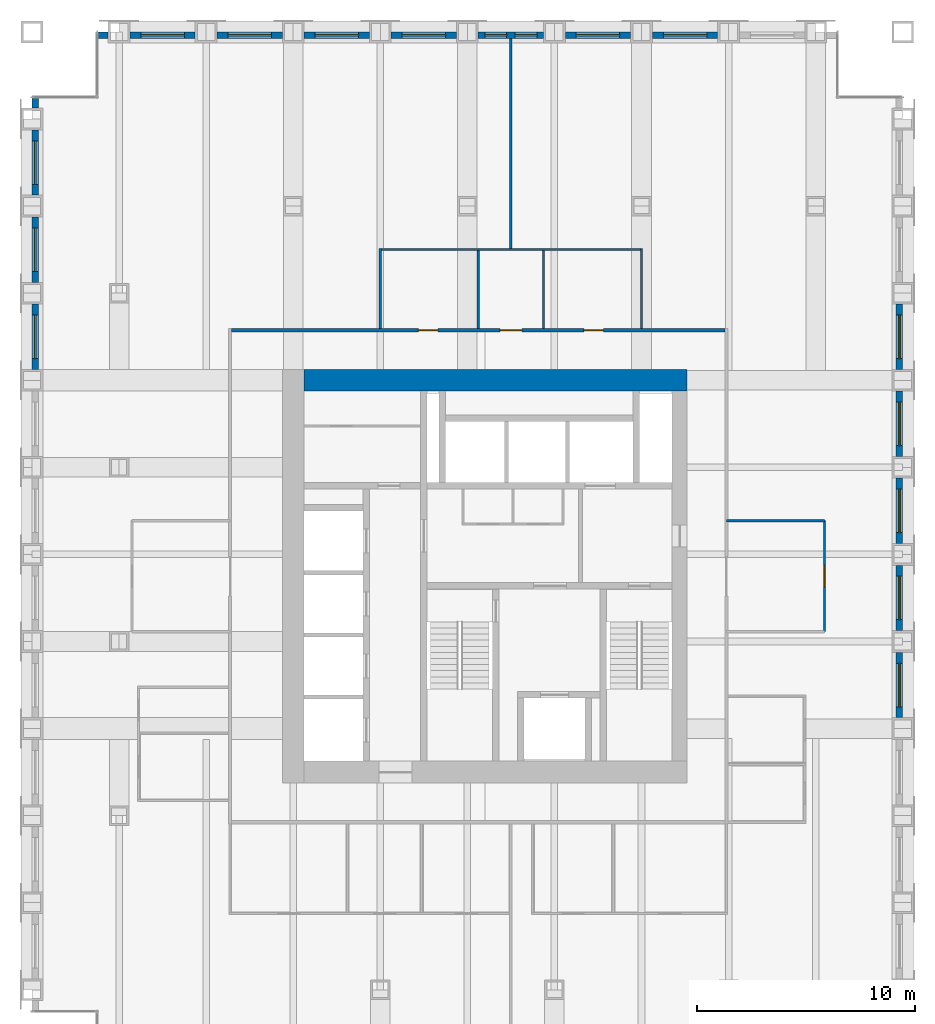
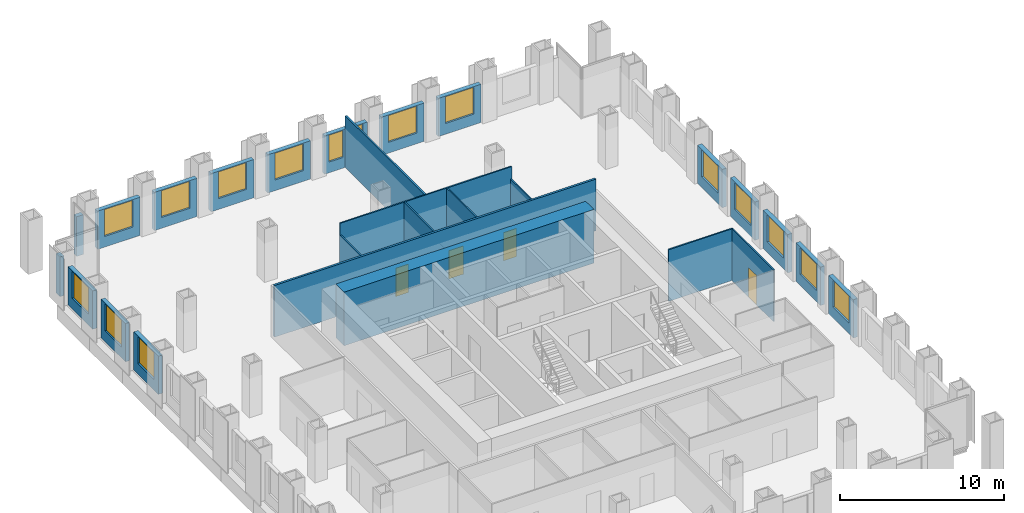
# One storey, part 10 of 12: 27 walls, 16 windows, 4 doors, 20 openings.
"""IFC4 building model written with IfcOpenShell, lengths in metres."""

import ifcopenshell
import ifcopenshell.guid

model = None  # the IFC model being written
_history = None  # IfcOwnerHistory: only IFC2X3 demands one
_inside = {}  # id of a spatial element -> (the spatial element, [elements in it])
_under = {}  # id of a project, library or spatial element -> (it, [spatial elements below it])
_declared = {}  # id of a project -> (the project, [libraries it declares])
_typed = {}  # id of a type object -> (the type object, [elements of that type])
_made_of = {}  # id of a material, layer set ... -> (it, [elements and type objects made of it])


def new_model(schema):
    """Start an empty IFC model of exactly this schema.

    Asked for "IFC4X3", IfcOpenShell would pick the latest addendum, in which some entities
    have other attributes; the version numbers below select the first issue.
    IFC2X3 requires an IfcOwnerHistory on every rooted entity: one is made here for all.
    """
    global model, _history
    if schema == "IFC4X3":
        model = ifcopenshell.file(schema_version=(4, 3, 0, 0))
    else:
        model = ifcopenshell.file(schema=schema)
    _inside.clear()
    _under.clear()
    _declared.clear()
    _typed.clear()
    _made_of.clear()
    _history = None
    if model.schema == "IFC2X3":
        org = make("IfcOrganization", Name="unknown")
        user = make(
            "IfcPersonAndOrganization",
            ThePerson=make("IfcPerson", FamilyName="unknown"),
            TheOrganization=org,
        )
        app = make(
            "IfcApplication",
            ApplicationDeveloper=org,
            Version="unknown",
            ApplicationFullName="unknown",
            ApplicationIdentifier="unknown",
        )
        _history = make(
            "IfcOwnerHistory",
            OwningUser=user,
            OwningApplication=app,
            ChangeAction="ADDED",
            CreationDate=0,
        )
    return model


def make(cls, **values):
    """One entity of the class cls with the attributes given. An attribute that is None is left unset."""
    return model.create_entity(
        cls, **{name: value for name, value in values.items() if value is not None}
    )


def rooted(cls, **values):
    """An entity with a GlobalId (a new one), such as an element, a storey or a relation."""
    return make(cls, GlobalId=ifcopenshell.guid.new(), OwnerHistory=_history, **values)


def si_unit(unit_type, name, prefix=None):
    """IfcSIUnit, for example si_unit("LENGTHUNIT", "METRE", prefix="MILLI")."""
    return make("IfcSIUnit", UnitType=unit_type, Prefix=prefix, Name=name)


def assignment(units):
    """IfcUnitAssignment: the units of a project."""
    return None if units is None else make("IfcUnitAssignment", Units=units)


def point(xyz):
    """IfcCartesianPoint."""
    return None if xyz is None else make("IfcCartesianPoint", Coordinates=xyz)


def direction(xyz):
    """IfcDirection."""
    return None if xyz is None else make("IfcDirection", DirectionRatios=xyz)


def frame(location, z_axis=None, x_axis=None):
    """IfcAxis2Placement3D, a coordinate frame: its origin and axes. An axis left out is left unset."""
    return make(
        "IfcAxis2Placement3D",
        Location=point(location),
        Axis=direction(z_axis),
        RefDirection=direction(x_axis),
    )


def frame_2d(location, x_axis=None):
    """IfcAxis2Placement2D, a coordinate frame in the plane: its origin and x axis."""
    return make(
        "IfcAxis2Placement2D", Location=point(location), RefDirection=direction(x_axis)
    )


def origin():
    """The frame at (0, 0, 0) with its axes left unset."""
    return frame((0.0, 0.0, 0.0))


def place(relative_to, where):
    """IfcLocalPlacement: puts the frame where relative to a parent placement (None: the world)."""
    return make(
        "IfcLocalPlacement", PlacementRelTo=relative_to, RelativePlacement=where
    )


def context(
    kind, dimensions, precision=None, world=None, true_north=None, identifier=None
):
    """IfcGeometricRepresentationContext, for example the 3D "Model" context."""
    return make(
        "IfcGeometricRepresentationContext",
        ContextIdentifier=identifier,
        ContextType=kind,
        CoordinateSpaceDimension=dimensions,
        Precision=precision,
        WorldCoordinateSystem=world,
        TrueNorth=true_north,
    )


def subcontext(parent, identifier, kind, view, scale=None):
    """IfcGeometricRepresentationSubContext, for example "Body" below "Model"."""
    return make(
        "IfcGeometricRepresentationSubContext",
        ContextIdentifier=identifier,
        ContextType=kind,
        ParentContext=parent,
        TargetScale=scale,
        TargetView=view,
    )


def project(units=None, contexts=None):
    """IfcProject with its units and contexts."""
    return rooted(
        "IfcProject",
        Name="project",
        RepresentationContexts=contexts,
        UnitsInContext=assignment(units),
    )


def spatial(cls, under=None, at=None, **own):
    """A site, building, storey or space (cls), placed at a placement, below another one or the project."""
    s = rooted(cls, ObjectPlacement=at, **own)
    if under is not None:
        _under.setdefault(under.id(), (under, []))[1].append(s)
    return s


def profile(cls, at=None, kind="AREA", **sizes):
    """A parametric profile (cls). Its sizes go by their IFC names, for example OverallWidth=200.0."""
    return make(cls, ProfileType=kind, Position=at, **sizes)


def rectangle(**sizes):
    """IfcRectangleProfileDef."""
    return profile("IfcRectangleProfileDef", **sizes)


def extrude(swept, where, along, depth):
    """IfcExtrudedAreaSolid: the profile swept, set in the frame where, extruded along a direction by depth."""
    return make(
        "IfcExtrudedAreaSolid",
        SweptArea=swept,
        Position=where,
        ExtrudedDirection=direction(along),
        Depth=depth,
    )


def shape(context_of_items, identifier, shape_type, items):
    """IfcShapeRepresentation: the items that make up one representation, for example the "Body"."""
    return make(
        "IfcShapeRepresentation",
        ContextOfItems=context_of_items,
        RepresentationIdentifier=identifier,
        RepresentationType=shape_type,
        Items=items,
    )


def material(Name=None, Category=None):
    """IfcMaterial."""
    return make("IfcMaterial", Name=Name, Category=Category)


def layer(
    of_material, thickness, ventilated=None, Name=None, Category=None, Priority=None
):
    """IfcMaterialLayer: one layer of a wall or slab, of a material (None: an air gap)."""
    return make(
        "IfcMaterialLayer",
        Material=of_material,
        LayerThickness=thickness,
        IsVentilated=ventilated,
        Name=Name,
        Category=Category,
        Priority=Priority,
    )


def layer_set(layers, Name=None):
    """IfcMaterialLayerSet."""
    return make("IfcMaterialLayerSet", MaterialLayers=layers, LayerSetName=Name)


def made_of(thing, what):
    """Note that an element or type object is made of a material, layer set ...; save() writes the relation."""
    if what is not None:
        _made_of.setdefault(what.id(), (what, []))[1].append(thing)
    return thing


def type_object(cls, material=None, **own):
    """A type object (cls), such as IfcWallType, which elements share."""
    return made_of(rooted(cls, **own), material)


def element(
    cls,
    number,
    at=None,
    inside=None,
    cuts=None,
    type_object=None,
    material=None,
    context=None,
    identifier="Body",
    shape_type=None,
    held_by="IfcProductDefinitionShape",
    body=None,
    shapes=None,
    **own,
):
    """One element of the class cls, such as IfcWall. Its Tag is "e" and its number.

    at: its placement. inside: the storey or other place that contains it. cuts: it is an
    opening in that element (IfcRelVoidsElement). A single representation is given by context,
    identifier, shape_type and body (its items); several are given by shapes. held_by: the class
    of the entity that holds the representations. save() writes the other relations.
    """
    e = rooted(cls, Tag="e%d" % number, ObjectPlacement=at, **own)
    if body is not None:
        shapes = [shape(context, identifier, shape_type, body)]
    if shapes is not None:
        e.Representation = make(held_by, Representations=shapes)
    if inside is not None:
        _inside.setdefault(inside.id(), (inside, []))[1].append(e)
    if cuts is not None:
        rooted(
            "IfcRelVoidsElement", RelatingBuildingElement=cuts, RelatedOpeningElement=e
        )
    if type_object is not None:
        _typed.setdefault(type_object.id(), (type_object, []))[1].append(e)
    return made_of(e, material)


def fill(opening, filler):
    """IfcRelFillsElement: the door or window that sits in an opening."""
    return rooted(
        "IfcRelFillsElement",
        RelatingOpeningElement=opening,
        RelatedBuildingElement=filler,
    )


def aggregate(whole, parts):
    """IfcRelAggregates: a whole, such as a stair, and the parts it consists of."""
    return rooted("IfcRelAggregates", RelatingObject=whole, RelatedObjects=parts)


def save(model, path):
    """Write the relations noted so far, then the file.

    IfcRelAggregates (storeys below a building ...), IfcRelContainedInSpatialStructure (elements
    in a storey), IfcRelDefinesByType, IfcRelAssociatesMaterial and IfcRelDeclares: one each for
    every whole, place, type object, material and project.
    """
    for whole, parts in _under.values():
        aggregate(whole, parts)
    for where, things in _inside.values():
        rooted(
            "IfcRelContainedInSpatialStructure",
            RelatedElements=things,
            RelatingStructure=where,
        )
    for kind, things in _typed.values():
        rooted("IfcRelDefinesByType", RelatedObjects=things, RelatingType=kind)
    for what, things in _made_of.values():
        rooted("IfcRelAssociatesMaterial", RelatedObjects=things, RelatingMaterial=what)
    for by, libraries in _declared.values():
        rooted("IfcRelDeclares", RelatingContext=by, RelatedDefinitions=libraries)
    model.write(path)


model = new_model("IFC4")

# Units and contexts
model_context = context("Model", 3, precision=1e-05, world=origin(), true_north=direction((0.0, 1.0)))
body_context = subcontext(model_context, "Body", "Model", "MODEL_VIEW")
ifc_project = project(units=[si_unit("LENGTHUNIT", "METRE"), si_unit("AREAUNIT", "SQUARE_METRE"), si_unit("VOLUMEUNIT", "CUBIC_METRE"), si_unit("PLANEANGLEUNIT", "RADIAN"), si_unit("MASSUNIT", "GRAM", prefix="KILO")], contexts=[model_context])

# Site, building, storey
site_placement = place(None, origin())
site = spatial("IfcSite", under=ifc_project, at=site_placement, CompositionType="ELEMENT")
building_placement = place(site_placement, origin())
building = spatial("IfcBuilding", under=site, at=building_placement, Name="Rimbunsela Tower", CompositionType="ELEMENT")
storey_placement = place(building_placement, frame((0.0, 0.0, 147.800048828125)))
storey = spatial("IfcBuildingStorey", under=building, at=storey_placement, Name="L35", CompositionType="ELEMENT", Elevation=147.800048828125)

# Wall
ifc_material_1 = material(Name="Concrete fc' 80 MPa", Category="concrete")
ifc_layer_1 = layer(ifc_material_1, 1.0)
ifc_layer_set_1 = layer_set([ifc_layer_1], Name="Core wall 1000")
wall_type_1 = type_object("IfcWallType", Name="Core wall 1000", PredefinedType="SHEAR", material=ifc_layer_set_1)
wall_1_placement = place(storey_placement, frame((18.5, 36.0, -0.150146484375), z_axis=(0.0, 0.0, 1.0), x_axis=(1.0, 0.0, 0.0)))
element("IfcWall", 1, at=wall_1_placement, inside=storey, type_object=wall_type_1, Name="Core wall north", PredefinedType="SHEAR", context=body_context, shape_type="SweptSolid", body=[
    extrude(rectangle(XDim=17.60009765625, YDim=1.0, at=frame_2d((8.800048828125, 0.0))), origin(), (0.0, 0.0, 1.0), 4.0),
])

# Wall, opening, door
ifc_material_2 = material(Name="Gypsum board on steel studs", Category="steel")
ifc_layer_2 = layer(ifc_material_2, 0.10009765625)
ifc_layer_set_2 = layer_set([ifc_layer_2], Name="Office partition 100")
wall_type_2 = type_object("IfcWallType", Name="Office partition 100", PredefinedType="PARTITIONING", material=ifc_layer_set_2)
wall_2_placement = place(storey_placement, frame((42.39990234375, 24.449951171875, 0.0), z_axis=(0.0, 0.0, 1.0), x_axis=(0.0, 1.0, 0.0)))
wall_2 = element("IfcWall", 2, at=wall_2_placement, inside=storey, type_object=wall_type_2, Name="Office partition", PredefinedType="PARTITIONING", context=body_context, shape_type="SweptSolid", body=[
    extrude(rectangle(XDim=5.10009765625, YDim=0.10009765625, at=frame_2d((2.550048828125, 0.0))), origin(), (0.0, 0.0, 1.0), 3.849853515625),
])
opening_1_placement = place(wall_2_placement, frame((2.050048828125, 0.0, 0.0)))
opening_1 = element("IfcOpeningElement", 3, at=opening_1_placement, cuts=wall_2, Name="Opening D17", PredefinedType="OPENING", context=body_context, shape_type="SweptSolid", body=[
    extrude(rectangle(XDim=1.0, YDim=2.199951171875, at=frame_2d((0.5, 1.10009765625))), frame((0.0, 0.06005859375, 0.0), z_axis=(0.0, -1.0, 0.0), x_axis=(1.0, 0.0, 0.0)), (0.0, 0.0, 1.0), 0.1201171875),
])
ifc_material_3 = material(Name="Glazed aluminium door", Category="aluminium")
door_type_1 = type_object("IfcDoorType", Name="Meeting room door 1000 glazed", OperationType="SINGLE_SWING_RIGHT", PredefinedType="DOOR", material=ifc_material_3)
door_1_placement = place(opening_1_placement, origin())
door_1 = element("IfcDoor", 4, at=door_1_placement, inside=storey, type_object=door_type_1, Name="Reception door", OperationType="SINGLE_SWING_RIGHT", OverallHeight=2.199951171875, OverallWidth=1.0, PredefinedType="DOOR", context=body_context, shape_type="SweptSolid", body=[
    extrude(rectangle(XDim=1.0, YDim=2.199951171875, at=frame_2d((0.5, 1.10009765625))), frame((0.0, 0.02490234375, 0.0), z_axis=(0.0, -1.0, 0.0), x_axis=(1.0, 0.0, 0.0)), (0.0, 0.0, 1.0), 0.050048828125),
])
fill(opening_1, door_1)

# Wall
wall_3_placement = place(storey_placement, frame((42.39990234375, 29.550048828125, 0.0), z_axis=(0.0, 0.0, 1.0), x_axis=(-1.0, 0.0, 0.0)))
element("IfcWall", 5, at=wall_3_placement, inside=storey, type_object=wall_type_2, Name="Office partition", PredefinedType="PARTITIONING", context=body_context, shape_type="SweptSolid", body=[
    extrude(rectangle(XDim=4.5, YDim=0.10009765625, at=frame_2d((2.25, 0.0))), origin(), (0.0, 0.0, 1.0), 3.849853515625),
])

# Wall, opening, window
ifc_material_4 = material(Name="Precast concrete fc' 35 MPa", Category="concrete")
ifc_layer_3 = layer(ifc_material_4, 0.300048828125)
ifc_layer_set_3 = layer_set([ifc_layer_3], Name="Precast concrete fc' 35 MPa")
wall_type_3 = type_object("IfcWallType", Name="Precast facade panel 300", PredefinedType="ELEMENTEDWALL", material=ifc_layer_set_3)
wall_4_placement = place(storey_placement, frame((45.85009765625, 20.5, 0.0), z_axis=(0.0, 0.0, 1.0), x_axis=(0.0, 1.0, 0.0)))
wall_4 = element("IfcWall", 6, at=wall_4_placement, inside=storey, type_object=wall_type_3, Name="Facade panel E L35", PredefinedType="ELEMENTEDWALL", context=body_context, shape_type="SweptSolid", body=[
    extrude(rectangle(XDim=3.0, YDim=0.300048828125, at=frame_2d((1.5, 0.0))), origin(), (0.0, 0.0, 1.0), 2.849853515625),
])
opening_2_placement = place(wall_4_placement, frame((0.5, 0.0, 0.800048828125)))
opening_2 = element("IfcOpeningElement", 7, at=opening_2_placement, cuts=wall_4, Name="Opening W1", PredefinedType="OPENING", context=body_context, shape_type="SweptSolid", body=[
    extrude(rectangle(XDim=2.0, YDim=2.0, at=frame_2d((1.0, 1.0))), frame((0.0, 0.159912109375, 0.0), z_axis=(0.0, -1.0, 0.0), x_axis=(1.0, 0.0, 0.0)), (0.0, 0.0, 1.0), 0.320068359375),
])
ifc_material_5 = material(Name="Clear glass in aluminium frame", Category="aluminium")
window_type_1 = type_object("IfcWindowType", Name="Window W1 2000x2000", PartitioningType="DOUBLE_PANEL_VERTICAL", PredefinedType="WINDOW", material=ifc_material_5)
window_1_placement = place(opening_2_placement, origin())
window_1 = element("IfcWindow", 8, at=window_1_placement, inside=storey, type_object=window_type_1, Name="Window L35", OverallHeight=2.0, OverallWidth=2.0, PartitioningType="SINGLE_PANEL", PredefinedType="WINDOW", context=body_context, shape_type="SweptSolid", body=[
    extrude(rectangle(XDim=2.0, YDim=2.0, at=frame_2d((1.0, 1.0))), frame((0.0, 0.030029296875, 0.0), z_axis=(0.0, -1.0, 0.0), x_axis=(1.0, 0.0, 0.0)), (0.0, 0.0, 1.0), 0.06005859375),
])
fill(opening_2, window_1)

wall_5_placement = place(storey_placement, frame((45.85009765625, 24.5, 0.0), z_axis=(0.0, 0.0, 1.0), x_axis=(0.0, 1.0, 0.0)))
wall_5 = element("IfcWall", 9, at=wall_5_placement, inside=storey, type_object=wall_type_3, Name="Facade panel E L35", PredefinedType="ELEMENTEDWALL", context=body_context, shape_type="SweptSolid", body=[
    extrude(rectangle(XDim=3.0, YDim=0.300048828125, at=frame_2d((1.5, 0.0))), origin(), (0.0, 0.0, 1.0), 2.849853515625),
])
opening_3_placement = place(wall_5_placement, frame((0.5, 0.0, 0.800048828125)))
opening_3 = element("IfcOpeningElement", 10, at=opening_3_placement, cuts=wall_5, Name="Opening W1", PredefinedType="OPENING", context=body_context, shape_type="SweptSolid", body=[
    extrude(rectangle(XDim=2.0, YDim=2.0, at=frame_2d((1.0, 1.0))), frame((0.0, 0.159912109375, 0.0), z_axis=(0.0, -1.0, 0.0), x_axis=(1.0, 0.0, 0.0)), (0.0, 0.0, 1.0), 0.320068359375),
])
window_2_placement = place(opening_3_placement, origin())
window_2 = element("IfcWindow", 11, at=window_2_placement, inside=storey, type_object=window_type_1, Name="Window L35", OverallHeight=2.0, OverallWidth=2.0, PartitioningType="SINGLE_PANEL", PredefinedType="WINDOW", context=body_context, shape_type="SweptSolid", body=[
    extrude(rectangle(XDim=2.0, YDim=2.0, at=frame_2d((1.0, 1.0))), frame((0.0, 0.030029296875, 0.0), z_axis=(0.0, -1.0, 0.0), x_axis=(1.0, 0.0, 0.0)), (0.0, 0.0, 1.0), 0.06005859375),
])
fill(opening_3, window_2)

wall_6_placement = place(storey_placement, frame((45.85009765625, 28.5, 0.0), z_axis=(0.0, 0.0, 1.0), x_axis=(0.0, 1.0, 0.0)))
wall_6 = element("IfcWall", 12, at=wall_6_placement, inside=storey, type_object=wall_type_3, Name="Facade panel E L35", PredefinedType="ELEMENTEDWALL", context=body_context, shape_type="SweptSolid", body=[
    extrude(rectangle(XDim=3.0, YDim=0.300048828125, at=frame_2d((1.5, 0.0))), origin(), (0.0, 0.0, 1.0), 2.849853515625),
])
opening_4_placement = place(wall_6_placement, frame((0.5, 0.0, 0.800048828125)))
opening_4 = element("IfcOpeningElement", 13, at=opening_4_placement, cuts=wall_6, Name="Opening W1", PredefinedType="OPENING", context=body_context, shape_type="SweptSolid", body=[
    extrude(rectangle(XDim=2.0, YDim=2.0, at=frame_2d((1.0, 1.0))), frame((0.0, 0.159912109375, 0.0), z_axis=(0.0, -1.0, 0.0), x_axis=(1.0, 0.0, 0.0)), (0.0, 0.0, 1.0), 0.320068359375),
])
window_3_placement = place(opening_4_placement, origin())
window_3 = element("IfcWindow", 14, at=window_3_placement, inside=storey, type_object=window_type_1, Name="Window L35", OverallHeight=2.0, OverallWidth=2.0, PartitioningType="SINGLE_PANEL", PredefinedType="WINDOW", context=body_context, shape_type="SweptSolid", body=[
    extrude(rectangle(XDim=2.0, YDim=2.0, at=frame_2d((1.0, 1.0))), frame((0.0, 0.030029296875, 0.0), z_axis=(0.0, -1.0, 0.0), x_axis=(1.0, 0.0, 0.0)), (0.0, 0.0, 1.0), 0.06005859375),
])
fill(opening_4, window_3)

wall_7_placement = place(storey_placement, frame((45.85009765625, 32.5, 0.0), z_axis=(0.0, 0.0, 1.0), x_axis=(0.0, 1.0, 0.0)))
wall_7 = element("IfcWall", 15, at=wall_7_placement, inside=storey, type_object=wall_type_3, Name="Facade panel E L35", PredefinedType="ELEMENTEDWALL", context=body_context, shape_type="SweptSolid", body=[
    extrude(rectangle(XDim=3.0, YDim=0.300048828125, at=frame_2d((1.5, 0.0))), origin(), (0.0, 0.0, 1.0), 2.849853515625),
])
opening_5_placement = place(wall_7_placement, frame((0.5, 0.0, 0.800048828125)))
opening_5 = element("IfcOpeningElement", 16, at=opening_5_placement, cuts=wall_7, Name="Opening W1", PredefinedType="OPENING", context=body_context, shape_type="SweptSolid", body=[
    extrude(rectangle(XDim=2.0, YDim=2.0, at=frame_2d((1.0, 1.0))), frame((0.0, 0.159912109375, 0.0), z_axis=(0.0, -1.0, 0.0), x_axis=(1.0, 0.0, 0.0)), (0.0, 0.0, 1.0), 0.320068359375),
])
window_4_placement = place(opening_5_placement, origin())
window_4 = element("IfcWindow", 17, at=window_4_placement, inside=storey, type_object=window_type_1, Name="Window L35", OverallHeight=2.0, OverallWidth=2.0, PartitioningType="SINGLE_PANEL", PredefinedType="WINDOW", context=body_context, shape_type="SweptSolid", body=[
    extrude(rectangle(XDim=2.0, YDim=2.0, at=frame_2d((1.0, 1.0))), frame((0.0, 0.030029296875, 0.0), z_axis=(0.0, -1.0, 0.0), x_axis=(1.0, 0.0, 0.0)), (0.0, 0.0, 1.0), 0.06005859375),
])
fill(opening_5, window_4)

wall_8_placement = place(storey_placement, frame((45.85009765625, 36.5, 0.0), z_axis=(0.0, 0.0, 1.0), x_axis=(0.0, 1.0, 0.0)))
wall_8 = element("IfcWall", 18, at=wall_8_placement, inside=storey, type_object=wall_type_3, Name="Facade panel E L35", PredefinedType="ELEMENTEDWALL", context=body_context, shape_type="SweptSolid", body=[
    extrude(rectangle(XDim=3.0, YDim=0.300048828125, at=frame_2d((1.5, 0.0))), origin(), (0.0, 0.0, 1.0), 2.849853515625),
])
opening_6_placement = place(wall_8_placement, frame((0.5, 0.0, 0.800048828125)))
opening_6 = element("IfcOpeningElement", 19, at=opening_6_placement, cuts=wall_8, Name="Opening W1", PredefinedType="OPENING", context=body_context, shape_type="SweptSolid", body=[
    extrude(rectangle(XDim=2.0, YDim=2.0, at=frame_2d((1.0, 1.0))), frame((0.0, 0.159912109375, 0.0), z_axis=(0.0, -1.0, 0.0), x_axis=(1.0, 0.0, 0.0)), (0.0, 0.0, 1.0), 0.320068359375),
])
window_5_placement = place(opening_6_placement, origin())
window_5 = element("IfcWindow", 20, at=window_5_placement, inside=storey, type_object=window_type_1, Name="Window L35", OverallHeight=2.0, OverallWidth=2.0, PartitioningType="SINGLE_PANEL", PredefinedType="WINDOW", context=body_context, shape_type="SweptSolid", body=[
    extrude(rectangle(XDim=2.0, YDim=2.0, at=frame_2d((1.0, 1.0))), frame((0.0, 0.030029296875, 0.0), z_axis=(0.0, -1.0, 0.0), x_axis=(1.0, 0.0, 0.0)), (0.0, 0.0, 1.0), 0.06005859375),
])
fill(opening_6, window_5)

# Wall
wall_9_placement = place(storey_placement, frame((9.5, 51.85009765625, 0.0), z_axis=(0.0, 0.0, 1.0), x_axis=(-1.0, 0.0, 0.0)))
element("IfcWall", 21, at=wall_9_placement, inside=storey, type_object=wall_type_3, Name="Facade panel N L35", PredefinedType="ELEMENTEDWALL", context=body_context, shape_type="SweptSolid", body=[
    extrude(rectangle(XDim=0.469970703125, YDim=0.300048828125, at=frame_2d((0.23486328125, 0.0))), origin(), (0.0, 0.0, 1.0), 2.949951171875),
])

# Wall, opening, window
wall_10_placement = place(storey_placement, frame((13.5, 51.85009765625, 0.0), z_axis=(0.0, 0.0, 1.0), x_axis=(-1.0, 0.0, 0.0)))
wall_10 = element("IfcWall", 22, at=wall_10_placement, inside=storey, type_object=wall_type_3, Name="Facade panel N L35", PredefinedType="ELEMENTEDWALL", context=body_context, shape_type="SweptSolid", body=[
    extrude(rectangle(XDim=3.0, YDim=0.300048828125, at=frame_2d((1.5, 0.0))), origin(), (0.0, 0.0, 1.0), 2.849853515625),
])
opening_7_placement = place(wall_10_placement, frame((0.5, 0.0, 0.800048828125)))
opening_7 = element("IfcOpeningElement", 23, at=opening_7_placement, cuts=wall_10, Name="Opening W1", PredefinedType="OPENING", context=body_context, shape_type="SweptSolid", body=[
    extrude(rectangle(XDim=2.0, YDim=2.0, at=frame_2d((1.0, 1.0))), frame((0.0, 0.159912109375, 0.0), z_axis=(0.0, -1.0, 0.0), x_axis=(1.0, 0.0, 0.0)), (0.0, 0.0, 1.0), 0.320068359375),
])
window_6_placement = place(opening_7_placement, origin())
window_6 = element("IfcWindow", 24, at=window_6_placement, inside=storey, type_object=window_type_1, Name="Window L35", OverallHeight=2.0, OverallWidth=2.0, PartitioningType="SINGLE_PANEL", PredefinedType="WINDOW", context=body_context, shape_type="SweptSolid", body=[
    extrude(rectangle(XDim=2.0, YDim=2.0, at=frame_2d((1.0, 1.0))), frame((0.0, 0.030029296875, 0.0), z_axis=(0.0, -1.0, 0.0), x_axis=(1.0, 0.0, 0.0)), (0.0, 0.0, 1.0), 0.06005859375),
])
fill(opening_7, window_6)

wall_11_placement = place(storey_placement, frame((17.5, 51.85009765625, 0.0), z_axis=(0.0, 0.0, 1.0), x_axis=(-1.0, 0.0, 0.0)))
wall_11 = element("IfcWall", 25, at=wall_11_placement, inside=storey, type_object=wall_type_3, Name="Facade panel N L35", PredefinedType="ELEMENTEDWALL", context=body_context, shape_type="SweptSolid", body=[
    extrude(rectangle(XDim=3.0, YDim=0.300048828125, at=frame_2d((1.5, 0.0))), origin(), (0.0, 0.0, 1.0), 2.849853515625),
])
opening_8_placement = place(wall_11_placement, frame((0.5, 0.0, 0.800048828125)))
opening_8 = element("IfcOpeningElement", 26, at=opening_8_placement, cuts=wall_11, Name="Opening W1", PredefinedType="OPENING", context=body_context, shape_type="SweptSolid", body=[
    extrude(rectangle(XDim=2.0, YDim=2.0, at=frame_2d((1.0, 1.0))), frame((0.0, 0.159912109375, 0.0), z_axis=(0.0, -1.0, 0.0), x_axis=(1.0, 0.0, 0.0)), (0.0, 0.0, 1.0), 0.320068359375),
])
window_7_placement = place(opening_8_placement, origin())
window_7 = element("IfcWindow", 27, at=window_7_placement, inside=storey, type_object=window_type_1, Name="Window L35", OverallHeight=2.0, OverallWidth=2.0, PartitioningType="SINGLE_PANEL", PredefinedType="WINDOW", context=body_context, shape_type="SweptSolid", body=[
    extrude(rectangle(XDim=2.0, YDim=2.0, at=frame_2d((1.0, 1.0))), frame((0.0, 0.030029296875, 0.0), z_axis=(0.0, -1.0, 0.0), x_axis=(1.0, 0.0, 0.0)), (0.0, 0.0, 1.0), 0.06005859375),
])
fill(opening_8, window_7)

wall_12_placement = place(storey_placement, frame((21.5, 51.85009765625, 0.0), z_axis=(0.0, 0.0, 1.0), x_axis=(-1.0, 0.0, 0.0)))
wall_12 = element("IfcWall", 28, at=wall_12_placement, inside=storey, type_object=wall_type_3, Name="Facade panel N L35", PredefinedType="ELEMENTEDWALL", context=body_context, shape_type="SweptSolid", body=[
    extrude(rectangle(XDim=3.0, YDim=0.300048828125, at=frame_2d((1.5, 0.0))), origin(), (0.0, 0.0, 1.0), 2.849853515625),
])
opening_9_placement = place(wall_12_placement, frame((0.5, 0.0, 0.800048828125)))
opening_9 = element("IfcOpeningElement", 29, at=opening_9_placement, cuts=wall_12, Name="Opening W1", PredefinedType="OPENING", context=body_context, shape_type="SweptSolid", body=[
    extrude(rectangle(XDim=2.0, YDim=2.0, at=frame_2d((1.0, 1.0))), frame((0.0, 0.159912109375, 0.0), z_axis=(0.0, -1.0, 0.0), x_axis=(1.0, 0.0, 0.0)), (0.0, 0.0, 1.0), 0.320068359375),
])
window_8_placement = place(opening_9_placement, origin())
window_8 = element("IfcWindow", 30, at=window_8_placement, inside=storey, type_object=window_type_1, Name="Window L35", OverallHeight=2.0, OverallWidth=2.0, PartitioningType="SINGLE_PANEL", PredefinedType="WINDOW", context=body_context, shape_type="SweptSolid", body=[
    extrude(rectangle(XDim=2.0, YDim=2.0, at=frame_2d((1.0, 1.0))), frame((0.0, 0.030029296875, 0.0), z_axis=(0.0, -1.0, 0.0), x_axis=(1.0, 0.0, 0.0)), (0.0, 0.0, 1.0), 0.06005859375),
])
fill(opening_9, window_8)

wall_13_placement = place(storey_placement, frame((25.5, 51.85009765625, 0.0), z_axis=(0.0, 0.0, 1.0), x_axis=(-1.0, 0.0, 0.0)))
wall_13 = element("IfcWall", 31, at=wall_13_placement, inside=storey, type_object=wall_type_3, Name="Facade panel N L35", PredefinedType="ELEMENTEDWALL", context=body_context, shape_type="SweptSolid", body=[
    extrude(rectangle(XDim=3.0, YDim=0.300048828125, at=frame_2d((1.5, 0.0))), origin(), (0.0, 0.0, 1.0), 2.849853515625),
])
opening_10_placement = place(wall_13_placement, frame((0.5, 0.0, 0.800048828125)))
opening_10 = element("IfcOpeningElement", 32, at=opening_10_placement, cuts=wall_13, Name="Opening W1", PredefinedType="OPENING", context=body_context, shape_type="SweptSolid", body=[
    extrude(rectangle(XDim=2.0, YDim=2.0, at=frame_2d((1.0, 1.0))), frame((0.0, 0.159912109375, 0.0), z_axis=(0.0, -1.0, 0.0), x_axis=(1.0, 0.0, 0.0)), (0.0, 0.0, 1.0), 0.320068359375),
])
window_9_placement = place(opening_10_placement, origin())
window_9 = element("IfcWindow", 33, at=window_9_placement, inside=storey, type_object=window_type_1, Name="Window L35", OverallHeight=2.0, OverallWidth=2.0, PartitioningType="SINGLE_PANEL", PredefinedType="WINDOW", context=body_context, shape_type="SweptSolid", body=[
    extrude(rectangle(XDim=2.0, YDim=2.0, at=frame_2d((1.0, 1.0))), frame((0.0, 0.030029296875, 0.0), z_axis=(0.0, -1.0, 0.0), x_axis=(1.0, 0.0, 0.0)), (0.0, 0.0, 1.0), 0.06005859375),
])
fill(opening_10, window_9)

# Wall, openings, windows
wall_14_placement = place(storey_placement, frame((29.5, 51.85009765625, 0.0), z_axis=(0.0, 0.0, 1.0), x_axis=(-1.0, 0.0, 0.0)))
wall_14 = element("IfcWall", 34, at=wall_14_placement, inside=storey, type_object=wall_type_3, Name="Facade panel N L35", PredefinedType="ELEMENTEDWALL", context=body_context, shape_type="SweptSolid", body=[
    extrude(rectangle(XDim=3.0, YDim=0.300048828125, at=frame_2d((1.5, 0.0))), origin(), (0.0, 0.0, 1.0), 2.849853515625),
])
opening_11_placement = place(wall_14_placement, frame((1.699951171875, 0.0, 0.800048828125)))
opening_11 = element("IfcOpeningElement", 35, at=opening_11_placement, cuts=wall_14, Name="Opening W5", PredefinedType="OPENING", context=body_context, shape_type="SweptSolid", body=[
    extrude(rectangle(XDim=1.0, YDim=2.0, at=frame_2d((0.5, 1.0))), frame((0.0, 0.159912109375, 0.0), z_axis=(0.0, -1.0, 0.0), x_axis=(1.0, 0.0, 0.0)), (0.0, 0.0, 1.0), 0.320068359375),
])
opening_12_placement = place(wall_14_placement, frame((0.300048828125, 0.0, 0.800048828125)))
opening_12 = element("IfcOpeningElement", 36, at=opening_12_placement, cuts=wall_14, Name="Opening W5", PredefinedType="OPENING", context=body_context, shape_type="SweptSolid", body=[
    extrude(rectangle(XDim=1.0, YDim=2.0, at=frame_2d((0.5, 1.0))), frame((0.0, 0.159912109375, 0.0), z_axis=(0.0, -1.0, 0.0), x_axis=(1.0, 0.0, 0.0)), (0.0, 0.0, 1.0), 0.320068359375),
])
ifc_material_6 = material(Name="Clear glass in aluminium frame", Category="aluminium")
window_type_2 = type_object("IfcWindowType", Name="Window W5 1000x2000", PartitioningType="SINGLE_PANEL", PredefinedType="WINDOW", material=ifc_material_6)
window_10_placement = place(opening_11_placement, origin())
window_10 = element("IfcWindow", 37, at=window_10_placement, inside=storey, type_object=window_type_2, Name="Window L35", OverallHeight=2.0, OverallWidth=1.0, PartitioningType="SINGLE_PANEL", PredefinedType="WINDOW", context=body_context, shape_type="SweptSolid", body=[
    extrude(rectangle(XDim=1.0, YDim=2.0, at=frame_2d((0.5, 1.0))), frame((0.0, 0.030029296875, 0.0), z_axis=(0.0, -1.0, 0.0), x_axis=(1.0, 0.0, 0.0)), (0.0, 0.0, 1.0), 0.06005859375),
])
fill(opening_11, window_10)
window_11_placement = place(opening_12_placement, origin())
window_11 = element("IfcWindow", 38, at=window_11_placement, inside=storey, type_object=window_type_2, Name="Window L35", OverallHeight=2.0, OverallWidth=1.0, PartitioningType="SINGLE_PANEL", PredefinedType="WINDOW", context=body_context, shape_type="SweptSolid", body=[
    extrude(rectangle(XDim=1.0, YDim=2.0, at=frame_2d((0.5, 1.0))), frame((0.0, 0.030029296875, 0.0), z_axis=(0.0, -1.0, 0.0), x_axis=(1.0, 0.0, 0.0)), (0.0, 0.0, 1.0), 0.06005859375),
])
fill(opening_12, window_11)

# Wall, opening, window
wall_15_placement = place(storey_placement, frame((33.5, 51.85009765625, 0.0), z_axis=(0.0, 0.0, 1.0), x_axis=(-1.0, 0.0, 0.0)))
wall_15 = element("IfcWall", 39, at=wall_15_placement, inside=storey, type_object=wall_type_3, Name="Facade panel N L35", PredefinedType="ELEMENTEDWALL", context=body_context, shape_type="SweptSolid", body=[
    extrude(rectangle(XDim=3.0, YDim=0.300048828125, at=frame_2d((1.5, 0.0))), origin(), (0.0, 0.0, 1.0), 2.849853515625),
])
opening_13_placement = place(wall_15_placement, frame((0.5, 0.0, 0.800048828125)))
opening_13 = element("IfcOpeningElement", 40, at=opening_13_placement, cuts=wall_15, Name="Opening W1", PredefinedType="OPENING", context=body_context, shape_type="SweptSolid", body=[
    extrude(rectangle(XDim=2.0, YDim=2.0, at=frame_2d((1.0, 1.0))), frame((0.0, 0.159912109375, 0.0), z_axis=(0.0, -1.0, 0.0), x_axis=(1.0, 0.0, 0.0)), (0.0, 0.0, 1.0), 0.320068359375),
])
window_12_placement = place(opening_13_placement, origin())
window_12 = element("IfcWindow", 41, at=window_12_placement, inside=storey, type_object=window_type_1, Name="Window L35", OverallHeight=2.0, OverallWidth=2.0, PartitioningType="SINGLE_PANEL", PredefinedType="WINDOW", context=body_context, shape_type="SweptSolid", body=[
    extrude(rectangle(XDim=2.0, YDim=2.0, at=frame_2d((1.0, 1.0))), frame((0.0, 0.030029296875, 0.0), z_axis=(0.0, -1.0, 0.0), x_axis=(1.0, 0.0, 0.0)), (0.0, 0.0, 1.0), 0.06005859375),
])
fill(opening_13, window_12)

wall_16_placement = place(storey_placement, frame((37.5, 51.85009765625, 0.0), z_axis=(0.0, 0.0, 1.0), x_axis=(-1.0, 0.0, 0.0)))
wall_16 = element("IfcWall", 42, at=wall_16_placement, inside=storey, type_object=wall_type_3, Name="Facade panel N L35", PredefinedType="ELEMENTEDWALL", context=body_context, shape_type="SweptSolid", body=[
    extrude(rectangle(XDim=3.0, YDim=0.300048828125, at=frame_2d((1.5, 0.0))), origin(), (0.0, 0.0, 1.0), 2.849853515625),
])
opening_14_placement = place(wall_16_placement, frame((0.5, 0.0, 0.800048828125)))
opening_14 = element("IfcOpeningElement", 43, at=opening_14_placement, cuts=wall_16, Name="Opening W1", PredefinedType="OPENING", context=body_context, shape_type="SweptSolid", body=[
    extrude(rectangle(XDim=2.0, YDim=2.0, at=frame_2d((1.0, 1.0))), frame((0.0, 0.159912109375, 0.0), z_axis=(0.0, -1.0, 0.0), x_axis=(1.0, 0.0, 0.0)), (0.0, 0.0, 1.0), 0.320068359375),
])
window_13_placement = place(opening_14_placement, origin())
window_13 = element("IfcWindow", 44, at=window_13_placement, inside=storey, type_object=window_type_1, Name="Window L35", OverallHeight=2.0, OverallWidth=2.0, PartitioningType="SINGLE_PANEL", PredefinedType="WINDOW", context=body_context, shape_type="SweptSolid", body=[
    extrude(rectangle(XDim=2.0, YDim=2.0, at=frame_2d((1.0, 1.0))), frame((0.0, 0.030029296875, 0.0), z_axis=(0.0, -1.0, 0.0), x_axis=(1.0, 0.0, 0.0)), (0.0, 0.0, 1.0), 0.06005859375),
])
fill(opening_14, window_13)

wall_17_placement = place(storey_placement, frame((6.14990234375, 39.5, 0.0), z_axis=(0.0, 0.0, 1.0), x_axis=(0.0, -1.0, 0.0)))
wall_17 = element("IfcWall", 45, at=wall_17_placement, inside=storey, type_object=wall_type_3, Name="Facade panel W L35", PredefinedType="ELEMENTEDWALL", context=body_context, shape_type="SweptSolid", body=[
    extrude(rectangle(XDim=3.0, YDim=0.300048828125, at=frame_2d((1.5, 0.0))), origin(), (0.0, 0.0, 1.0), 2.849853515625),
])
opening_15_placement = place(wall_17_placement, frame((0.5, 0.0, 0.800048828125)))
opening_15 = element("IfcOpeningElement", 46, at=opening_15_placement, cuts=wall_17, Name="Opening W1", PredefinedType="OPENING", context=body_context, shape_type="SweptSolid", body=[
    extrude(rectangle(XDim=2.0, YDim=2.0, at=frame_2d((1.0, 1.0))), frame((0.0, 0.159912109375, 0.0), z_axis=(0.0, -1.0, 0.0), x_axis=(1.0, 0.0, 0.0)), (0.0, 0.0, 1.0), 0.320068359375),
])
window_14_placement = place(opening_15_placement, origin())
window_14 = element("IfcWindow", 47, at=window_14_placement, inside=storey, type_object=window_type_1, Name="Window L35", OverallHeight=2.0, OverallWidth=2.0, PartitioningType="SINGLE_PANEL", PredefinedType="WINDOW", context=body_context, shape_type="SweptSolid", body=[
    extrude(rectangle(XDim=2.0, YDim=2.0, at=frame_2d((1.0, 1.0))), frame((0.0, 0.030029296875, 0.0), z_axis=(0.0, -1.0, 0.0), x_axis=(1.0, 0.0, 0.0)), (0.0, 0.0, 1.0), 0.06005859375),
])
fill(opening_15, window_14)

wall_18_placement = place(storey_placement, frame((6.14990234375, 43.5, 0.0), z_axis=(0.0, 0.0, 1.0), x_axis=(0.0, -1.0, 0.0)))
wall_18 = element("IfcWall", 48, at=wall_18_placement, inside=storey, type_object=wall_type_3, Name="Facade panel W L35", PredefinedType="ELEMENTEDWALL", context=body_context, shape_type="SweptSolid", body=[
    extrude(rectangle(XDim=3.0, YDim=0.300048828125, at=frame_2d((1.5, 0.0))), origin(), (0.0, 0.0, 1.0), 2.849853515625),
])
opening_16_placement = place(wall_18_placement, frame((0.5, 0.0, 0.800048828125)))
opening_16 = element("IfcOpeningElement", 49, at=opening_16_placement, cuts=wall_18, Name="Opening W1", PredefinedType="OPENING", context=body_context, shape_type="SweptSolid", body=[
    extrude(rectangle(XDim=2.0, YDim=2.0, at=frame_2d((1.0, 1.0))), frame((0.0, 0.159912109375, 0.0), z_axis=(0.0, -1.0, 0.0), x_axis=(1.0, 0.0, 0.0)), (0.0, 0.0, 1.0), 0.320068359375),
])
window_15_placement = place(opening_16_placement, origin())
window_15 = element("IfcWindow", 50, at=window_15_placement, inside=storey, type_object=window_type_1, Name="Window L35", OverallHeight=2.0, OverallWidth=2.0, PartitioningType="SINGLE_PANEL", PredefinedType="WINDOW", context=body_context, shape_type="SweptSolid", body=[
    extrude(rectangle(XDim=2.0, YDim=2.0, at=frame_2d((1.0, 1.0))), frame((0.0, 0.030029296875, 0.0), z_axis=(0.0, -1.0, 0.0), x_axis=(1.0, 0.0, 0.0)), (0.0, 0.0, 1.0), 0.06005859375),
])
fill(opening_16, window_15)

wall_19_placement = place(storey_placement, frame((6.14990234375, 47.5, 0.0), z_axis=(0.0, 0.0, 1.0), x_axis=(0.0, -1.0, 0.0)))
wall_19 = element("IfcWall", 51, at=wall_19_placement, inside=storey, type_object=wall_type_3, Name="Facade panel W L35", PredefinedType="ELEMENTEDWALL", context=body_context, shape_type="SweptSolid", body=[
    extrude(rectangle(XDim=3.0, YDim=0.300048828125, at=frame_2d((1.5, 0.0))), origin(), (0.0, 0.0, 1.0), 2.849853515625),
])
opening_17_placement = place(wall_19_placement, frame((0.5, 0.0, 0.800048828125)))
opening_17 = element("IfcOpeningElement", 52, at=opening_17_placement, cuts=wall_19, Name="Opening W1", PredefinedType="OPENING", context=body_context, shape_type="SweptSolid", body=[
    extrude(rectangle(XDim=2.0, YDim=2.0, at=frame_2d((1.0, 1.0))), frame((0.0, 0.159912109375, 0.0), z_axis=(0.0, -1.0, 0.0), x_axis=(1.0, 0.0, 0.0)), (0.0, 0.0, 1.0), 0.320068359375),
])
window_16_placement = place(opening_17_placement, origin())
window_16 = element("IfcWindow", 53, at=window_16_placement, inside=storey, type_object=window_type_1, Name="Window L35", OverallHeight=2.0, OverallWidth=2.0, PartitioningType="SINGLE_PANEL", PredefinedType="WINDOW", context=body_context, shape_type="SweptSolid", body=[
    extrude(rectangle(XDim=2.0, YDim=2.0, at=frame_2d((1.0, 1.0))), frame((0.0, 0.030029296875, 0.0), z_axis=(0.0, -1.0, 0.0), x_axis=(1.0, 0.0, 0.0)), (0.0, 0.0, 1.0), 0.06005859375),
])
fill(opening_17, window_16)

# Wall
wall_20_placement = place(storey_placement, frame((6.14990234375, 48.969970703125, 0.0), z_axis=(0.0, 0.0, 1.0), x_axis=(0.0, -1.0, 0.0)))
element("IfcWall", 54, at=wall_20_placement, inside=storey, type_object=wall_type_3, Name="Facade panel W L35", PredefinedType="ELEMENTEDWALL", context=body_context, shape_type="SweptSolid", body=[
    extrude(rectangle(XDim=0.469970703125, YDim=0.300048828125, at=frame_2d((0.23486328125, 0.0))), origin(), (0.0, 0.0, 1.0), 2.949951171875),
])

# Wall, openings, doors
ifc_material_7 = material(Name="Fire-rated gypsum board on steel studs, EI 60", Category="steel")
ifc_layer_4 = layer(ifc_material_7, 0.14990234375)
ifc_layer_set_4 = layer_set([ifc_layer_4], Name="Rated corridor wall 150")
wall_type_4 = type_object("IfcWallType", Name="Rated corridor wall 150", PredefinedType="PARTITIONING", material=ifc_layer_set_4)
wall_21_placement = place(storey_placement, frame((15.175048828125, 38.300048828125, 0.0), z_axis=(0.0, 0.0, 1.0), x_axis=(1.0, 0.0, 0.0)))
wall_21 = element("IfcWall", 55, at=wall_21_placement, inside=storey, type_object=wall_type_4, Name="Corridor wall north", PredefinedType="PARTITIONING", context=body_context, shape_type="SweptSolid", body=[
    extrude(rectangle(XDim=22.64990234375, YDim=0.14990234375, at=frame_2d((11.324951171875, 0.0))), origin(), (0.0, 0.0, 1.0), 3.849853515625),
])
opening_18_placement = place(wall_21_placement, frame((8.574951171875, 0.0, 0.0)))
opening_18 = element("IfcOpeningElement", 56, at=opening_18_placement, cuts=wall_21, Name="Opening D04", PredefinedType="OPENING", context=body_context, shape_type="SweptSolid", body=[
    extrude(rectangle(XDim=0.89990234375, YDim=2.10009765625, at=frame_2d((0.449951171875, 1.050048828125))), frame((0.0, 0.0849609375, 0.0), z_axis=(0.0, -1.0, 0.0), x_axis=(1.0, 0.0, 0.0)), (0.0, 0.0, 1.0), 0.169921875),
])
opening_19_placement = place(wall_21_placement, frame((12.324951171875, 0.0, 0.0)))
opening_19 = element("IfcOpeningElement", 57, at=opening_19_placement, cuts=wall_21, Name="Opening D05", PredefinedType="OPENING", context=body_context, shape_type="SweptSolid", body=[
    extrude(rectangle(XDim=1.0, YDim=2.10009765625, at=frame_2d((0.5, 1.050048828125))), frame((0.0, 0.0849609375, 0.0), z_axis=(0.0, -1.0, 0.0), x_axis=(1.0, 0.0, 0.0)), (0.0, 0.0, 1.0), 0.169921875),
])
opening_20_placement = place(wall_21_placement, frame((16.175048828125, 0.0, 0.0)))
opening_20 = element("IfcOpeningElement", 58, at=opening_20_placement, cuts=wall_21, Name="Opening D04", PredefinedType="OPENING", context=body_context, shape_type="SweptSolid", body=[
    extrude(rectangle(XDim=0.89990234375, YDim=2.10009765625, at=frame_2d((0.449951171875, 1.050048828125))), frame((0.0, 0.0849609375, 0.0), z_axis=(0.0, -1.0, 0.0), x_axis=(1.0, 0.0, 0.0)), (0.0, 0.0, 1.0), 0.169921875),
])
ifc_material_8 = material(Name="Timber door", Category="wood")
door_type_2 = type_object("IfcDoorType", Name="Accessible WC door 1000", OperationType="SLIDING_TO_LEFT", PredefinedType="DOOR", material=ifc_material_8)
door_2_placement = place(opening_19_placement, origin())
door_2 = element("IfcDoor", 59, at=door_2_placement, inside=storey, type_object=door_type_2, Name="Accessible WC door", OperationType="SLIDING_TO_LEFT", OverallHeight=2.10009765625, OverallWidth=1.0, PredefinedType="DOOR", context=body_context, shape_type="SweptSolid", body=[
    extrude(rectangle(XDim=1.0, YDim=2.10009765625, at=frame_2d((0.5, 1.050048828125))), frame((0.0, 0.02490234375, 0.0), z_axis=(0.0, -1.0, 0.0), x_axis=(1.0, 0.0, 0.0)), (0.0, 0.0, 1.0), 0.050048828125),
])
fill(opening_19, door_2)
ifc_material_9 = material(Name="Timber door", Category="wood")
door_type_3 = type_object("IfcDoorType", Name="Toilet door 900", OperationType="SINGLE_SWING_LEFT", PredefinedType="DOOR", material=ifc_material_9)
door_3_placement = place(opening_18_placement, origin())
door_3 = element("IfcDoor", 60, at=door_3_placement, inside=storey, type_object=door_type_3, Name="Female WC door", OperationType="SINGLE_SWING_LEFT", OverallHeight=2.10009765625, OverallWidth=0.89990234375, PredefinedType="DOOR", context=body_context, shape_type="SweptSolid", body=[
    extrude(rectangle(XDim=0.89990234375, YDim=2.10009765625, at=frame_2d((0.449951171875, 1.050048828125))), frame((0.0, 0.02490234375, 0.0), z_axis=(0.0, -1.0, 0.0), x_axis=(1.0, 0.0, 0.0)), (0.0, 0.0, 1.0), 0.050048828125),
])
fill(opening_18, door_3)
door_4_placement = place(opening_20_placement, origin())
door_4 = element("IfcDoor", 61, at=door_4_placement, inside=storey, type_object=door_type_3, Name="Male WC door", OperationType="SINGLE_SWING_LEFT", OverallHeight=2.10009765625, OverallWidth=0.89990234375, PredefinedType="DOOR", context=body_context, shape_type="SweptSolid", body=[
    extrude(rectangle(XDim=0.89990234375, YDim=2.10009765625, at=frame_2d((0.449951171875, 1.050048828125))), frame((0.0, 0.02490234375, 0.0), z_axis=(0.0, -1.0, 0.0), x_axis=(1.0, 0.0, 0.0)), (0.0, 0.0, 1.0), 0.050048828125),
])
fill(opening_20, door_4)

# Walls
ifc_material_10 = material(Name="Gypsum board on steel studs", Category="steel")
ifc_layer_5 = layer(ifc_material_10, 0.1201171875)
ifc_layer_set_5 = layer_set([ifc_layer_5], Name="Tenancy partition 120")
wall_type_5 = type_object("IfcWallType", Name="Tenancy partition 120", PredefinedType="PARTITIONING", material=ifc_layer_set_5)
wall_22_placement = place(storey_placement, frame((28.0, 42.050048828125, 0.0), z_axis=(0.0, 0.0, 1.0), x_axis=(0.0, 1.0, 0.0)))
element("IfcWall", 62, at=wall_22_placement, inside=storey, type_object=wall_type_5, Name="Tenancy partition north", PredefinedType="PARTITIONING", context=body_context, shape_type="SweptSolid", body=[
    extrude(rectangle(XDim=9.64990234375, YDim=0.1201171875, at=frame_2d((4.824951171875, 0.0))), origin(), (0.0, 0.0, 1.0), 3.849853515625),
])
ifc_material_11 = material(Name="Concrete blockwork", Category="masonry")
ifc_layer_6 = layer(ifc_material_11, 0.10009765625)
ifc_layer_set_6 = layer_set([ifc_layer_6], Name="Toilet partition 100")
wall_type_6 = type_object("IfcWallType", Name="Toilet partition 100", PredefinedType="PARTITIONING", material=ifc_layer_set_6)
for number, where, z_axis, x_axis, name in (
    (63, (22.0, 38.375, 0.0), (0.0, 0.0, 1.0), (0.0, 1.0, 0.0), "Toilet block wall west"),
    (64, (34.0, 38.375, 0.0), (0.0, 0.0, 1.0), (0.0, 1.0, 0.0), "Toilet block wall east"),
):
    element("IfcWall", number, at=place(storey_placement, frame(where, z_axis=z_axis, x_axis=x_axis)), inside=storey, type_object=wall_type_6, Name=name, PredefinedType="PARTITIONING", context=body_context, shape_type="SweptSolid", body=[
        extrude(rectangle(XDim=3.675048828125, YDim=0.10009765625, at=frame_2d((1.83740234375, 0.0))), origin(), (0.0, 0.0, 1.0), 2.949951171875),
    ])
wall_23_placement = place(storey_placement, frame((21.949951171875, 42.0, 0.0), z_axis=(0.0, 0.0, 1.0), x_axis=(1.0, 0.0, 0.0)))
element("IfcWall", 65, at=wall_23_placement, inside=storey, type_object=wall_type_6, Name="Toilet block wall north", PredefinedType="PARTITIONING", context=body_context, shape_type="SweptSolid", body=[
    extrude(rectangle(XDim=12.10009765625, YDim=0.10009765625, at=frame_2d((6.050048828125, 0.0))), origin(), (0.0, 0.0, 1.0), 3.849853515625),
])
for number, where, z_axis, x_axis, name in (
    (66, (26.5, 38.375, 0.0), (0.0, 0.0, 1.0), (0.0, 1.0, 0.0), "Toilet partition"),
    (67, (29.5, 38.375, 0.0), (0.0, 0.0, 1.0), (0.0, 1.0, 0.0), "Toilet partition"),
):
    element("IfcWall", number, at=place(storey_placement, frame(where, z_axis=z_axis, x_axis=x_axis)), inside=storey, type_object=wall_type_6, Name=name, PredefinedType="PARTITIONING", context=body_context, shape_type="SweptSolid", body=[
        extrude(rectangle(XDim=3.574951171875, YDim=0.10009765625, at=frame_2d((1.78759765625, 0.0))), origin(), (0.0, 0.0, 1.0), 3.849853515625),
    ])

save(model, "model.ifc")
